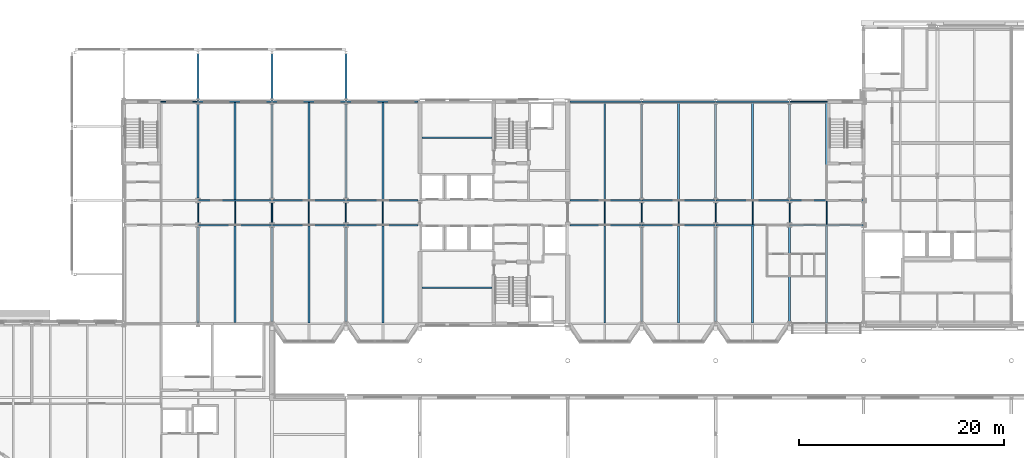
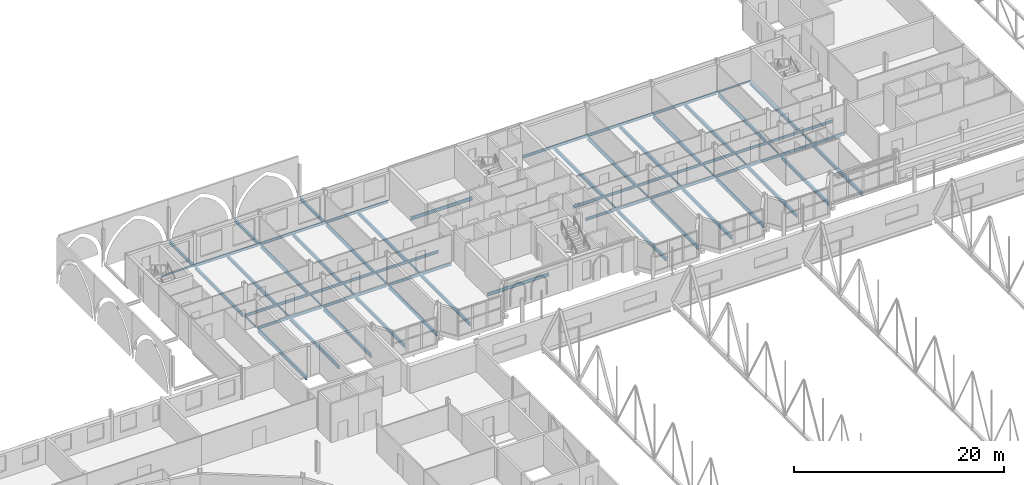
# One storey, part 51 of 142: 66 beams.
"""IFC4 building model written with IfcOpenShell, lengths in metres."""

from ifc_helpers import new_model, si_unit, direction, frame, origin, origin_2d, place, context, subcontext, project, spatial, i_section, extrude, material, material_profile, profile_set, type_object, element, save


model = new_model("IFC4")

# Units and contexts
model_context = context("Model", 3, precision=1e-05, world=origin(), true_north=direction((0.0, 1.0)))
body_context = subcontext(model_context, "Body", "Model", "MODEL_VIEW")
ifc_project = project(units=[si_unit("LENGTHUNIT", "METRE"), si_unit("AREAUNIT", "SQUARE_METRE"), si_unit("VOLUMEUNIT", "CUBIC_METRE"), si_unit("PLANEANGLEUNIT", "RADIAN"), si_unit("MASSUNIT", "GRAM", prefix="KILO")], contexts=[model_context])

# Site, building, storey
site_placement = place(None, origin())
site = spatial("IfcSite", under=ifc_project, at=site_placement, CompositionType="ELEMENT")
building_placement = place(site_placement, origin())
building = spatial("IfcBuilding", under=site, at=building_placement, Name="Kupolbacken Congress Centre", CompositionType="ELEMENT")
storey_placement = place(building_placement, frame((0.0, 0.0, 14.39990234375)))
storey = spatial("IfcBuildingStorey", under=building, at=storey_placement, Name="L04", CompositionType="ELEMENT", Elevation=14.39990234375)

# Beams
ifc_material_1 = material(Name="Steel S355", Category="steel")
ifc_material_profile_1 = material_profile(ifc_material_1, i_section(OverallWidth=0.10009765625, OverallDepth=0.199951171875, WebThickness=0.005615234375, FlangeThickness=0.008544921875, FilletRadius=0.011962890625, at=origin_2d()), Name="IPE 200")
ifc_profile_set_1 = profile_set([ifc_material_profile_1], Name="Steel S355")
beam_type_1 = type_object("IfcBeamType", Name="B01 beam IPE 200", PredefinedType="BEAM", material=ifc_profile_set_1)
for number, where, z_axis, x_axis, name in (
    (1, (68.35009765625, 144.0, -0.239990234375), (1.0, 0.0, 0.0), (0.0, 1.0, 0.0), "S/floor/T/L04/R023"),
    (2, (129.610595703125, 144.0, -0.239990234375), (1.0, 0.0, 0.0), (0.0, 1.0, 0.0), "S/floor/T/L04/R030"),
):
    element("IfcBeam", number, at=place(storey_placement, frame(where, z_axis=z_axis, x_axis=x_axis)), inside=storey, type_object=beam_type_1, Name=name, PredefinedType="BEAM", context=body_context, shape_type="SweptSolid", body=[
        extrude(i_section(OverallWidth=0.10009765625, OverallDepth=0.199951171875, WebThickness=0.005615234375, FlangeThickness=0.008544921875, FilletRadius=0.011962890625, at=origin_2d()), origin(), (0.0, 0.0, 1.0), 3.639404296875),
    ])
beam_1_placement = place(storey_placement, frame((72.0, 132.21240234375, -0.239990234375), z_axis=(0.0, 1.0, 0.0), x_axis=(-1.0, 0.0, 0.0)))
element("IfcBeam", 3, at=beam_1_placement, inside=storey, type_object=beam_type_1, Name="S/floor/T/L04/S038", PredefinedType="BEAM", context=body_context, shape_type="SweptSolid", body=[
    extrude(i_section(OverallWidth=0.10009765625, OverallDepth=0.199951171875, WebThickness=0.005615234375, FlangeThickness=0.008544921875, FilletRadius=0.011962890625, at=origin_2d()), origin(), (0.0, 0.0, 1.0), 1.97509765625),
])
beam_2_placement = place(storey_placement, frame((75.60009765625, 132.074951171875, -0.239990234375), z_axis=(0.0, 1.0, 0.0), x_axis=(-1.0, 0.0, 0.0)))
element("IfcBeam", 4, at=beam_2_placement, inside=storey, type_object=beam_type_1, Name="S/floor/T/L04/S041", PredefinedType="BEAM", context=body_context, shape_type="SweptSolid", body=[
    extrude(i_section(OverallWidth=0.10009765625, OverallDepth=0.199951171875, WebThickness=0.005615234375, FlangeThickness=0.008544921875, FilletRadius=0.011962890625, at=origin_2d()), origin(), (0.0, 0.0, 1.0), 2.25),
])
beam_3_placement = place(storey_placement, frame((79.199951171875, 132.21240234375, -0.239990234375), z_axis=(0.0, 1.0, 0.0), x_axis=(-1.0, 0.0, 0.0)))
element("IfcBeam", 5, at=beam_3_placement, inside=storey, type_object=beam_type_1, Name="S/floor/T/L04/S044", PredefinedType="BEAM", context=body_context, shape_type="SweptSolid", body=[
    extrude(i_section(OverallWidth=0.10009765625, OverallDepth=0.199951171875, WebThickness=0.005615234375, FlangeThickness=0.008544921875, FilletRadius=0.011962890625, at=origin_2d()), origin(), (0.0, 0.0, 1.0), 1.97509765625),
])
beam_4_placement = place(storey_placement, frame((82.800048828125, 132.074951171875, -0.239990234375), z_axis=(0.0, 1.0, 0.0), x_axis=(-1.0, 0.0, 0.0)))
element("IfcBeam", 6, at=beam_4_placement, inside=storey, type_object=beam_type_1, Name="S/floor/T/L04/S047", PredefinedType="BEAM", context=body_context, shape_type="SweptSolid", body=[
    extrude(i_section(OverallWidth=0.10009765625, OverallDepth=0.199951171875, WebThickness=0.005615234375, FlangeThickness=0.008544921875, FilletRadius=0.011962890625, at=origin_2d()), origin(), (0.0, 0.0, 1.0), 2.25),
])
beam_5_placement = place(storey_placement, frame((86.39990234375, 132.21240234375, -0.239990234375), z_axis=(0.0, 1.0, 0.0), x_axis=(-1.0, 0.0, 0.0)))
element("IfcBeam", 7, at=beam_5_placement, inside=storey, type_object=beam_type_1, Name="S/floor/T/L04/S050", PredefinedType="BEAM", context=body_context, shape_type="SweptSolid", body=[
    extrude(i_section(OverallWidth=0.10009765625, OverallDepth=0.199951171875, WebThickness=0.005615234375, FlangeThickness=0.008544921875, FilletRadius=0.011962890625, at=origin_2d()), origin(), (0.0, 0.0, 1.0), 1.97509765625),
])
for number, where, z_axis, x_axis, name in (
    (8, (90.0, 132.074951171875, -0.239990234375), (0.0, 1.0, 0.0), (-1.0, 0.0, 0.0), "S/floor/T/L04/S053"),
    (9, (111.60009765625, 132.074951171875, -0.239990234375), (0.0, 1.0, 0.0), (-1.0, 0.0, 0.0), "S/floor/T/L04/S056"),
):
    element("IfcBeam", number, at=place(storey_placement, frame(where, z_axis=z_axis, x_axis=x_axis)), inside=storey, type_object=beam_type_1, Name=name, PredefinedType="BEAM", context=body_context, shape_type="SweptSolid", body=[
        extrude(i_section(OverallWidth=0.10009765625, OverallDepth=0.199951171875, WebThickness=0.005615234375, FlangeThickness=0.008544921875, FilletRadius=0.011962890625, at=origin_2d()), origin(), (0.0, 0.0, 1.0), 2.25),
    ])
beam_6_placement = place(storey_placement, frame((115.199951171875, 132.21240234375, -0.239990234375), z_axis=(0.0, 1.0, 0.0), x_axis=(-1.0, 0.0, 0.0)))
element("IfcBeam", 10, at=beam_6_placement, inside=storey, type_object=beam_type_1, Name="S/floor/T/L04/S059", PredefinedType="BEAM", context=body_context, shape_type="SweptSolid", body=[
    extrude(i_section(OverallWidth=0.10009765625, OverallDepth=0.199951171875, WebThickness=0.005615234375, FlangeThickness=0.008544921875, FilletRadius=0.011962890625, at=origin_2d()), origin(), (0.0, 0.0, 1.0), 1.97509765625),
])
beam_7_placement = place(storey_placement, frame((118.800048828125, 132.074951171875, -0.239990234375), z_axis=(0.0, 1.0, 0.0), x_axis=(-1.0, 0.0, 0.0)))
element("IfcBeam", 11, at=beam_7_placement, inside=storey, type_object=beam_type_1, Name="S/floor/T/L04/S062", PredefinedType="BEAM", context=body_context, shape_type="SweptSolid", body=[
    extrude(i_section(OverallWidth=0.10009765625, OverallDepth=0.199951171875, WebThickness=0.005615234375, FlangeThickness=0.008544921875, FilletRadius=0.011962890625, at=origin_2d()), origin(), (0.0, 0.0, 1.0), 2.25),
])
beam_8_placement = place(storey_placement, frame((122.39990234375, 132.21240234375, -0.239990234375), z_axis=(0.0, 1.0, 0.0), x_axis=(-1.0, 0.0, 0.0)))
element("IfcBeam", 12, at=beam_8_placement, inside=storey, type_object=beam_type_1, Name="S/floor/T/L04/S065", PredefinedType="BEAM", context=body_context, shape_type="SweptSolid", body=[
    extrude(i_section(OverallWidth=0.10009765625, OverallDepth=0.199951171875, WebThickness=0.005615234375, FlangeThickness=0.008544921875, FilletRadius=0.011962890625, at=origin_2d()), origin(), (0.0, 0.0, 1.0), 1.97509765625),
])
beam_9_placement = place(storey_placement, frame((126.0, 132.074951171875, -0.239990234375), z_axis=(0.0, 1.0, 0.0), x_axis=(-1.0, 0.0, 0.0)))
element("IfcBeam", 13, at=beam_9_placement, inside=storey, type_object=beam_type_1, Name="S/floor/T/L04/S068", PredefinedType="BEAM", context=body_context, shape_type="SweptSolid", body=[
    extrude(i_section(OverallWidth=0.10009765625, OverallDepth=0.199951171875, WebThickness=0.005615234375, FlangeThickness=0.008544921875, FilletRadius=0.011962890625, at=origin_2d()), origin(), (0.0, 0.0, 1.0), 2.25),
])
beam_10_placement = place(storey_placement, frame((129.60009765625, 132.21240234375, -0.239990234375), z_axis=(0.0, 1.0, 0.0), x_axis=(-1.0, 0.0, 0.0)))
element("IfcBeam", 14, at=beam_10_placement, inside=storey, type_object=beam_type_1, Name="S/floor/T/L04/S071", PredefinedType="BEAM", context=body_context, shape_type="SweptSolid", body=[
    extrude(i_section(OverallWidth=0.10009765625, OverallDepth=0.199951171875, WebThickness=0.005615234375, FlangeThickness=0.008544921875, FilletRadius=0.011962890625, at=origin_2d()), origin(), (0.0, 0.0, 1.0), 1.97509765625),
])
beam_11_placement = place(storey_placement, frame((133.199951171875, 132.074951171875, -0.239990234375), z_axis=(0.0, 1.0, 0.0), x_axis=(-1.0, 0.0, 0.0)))
element("IfcBeam", 15, at=beam_11_placement, inside=storey, type_object=beam_type_1, Name="S/floor/T/L04/S074", PredefinedType="BEAM", context=body_context, shape_type="SweptSolid", body=[
    extrude(i_section(OverallWidth=0.10009765625, OverallDepth=0.199951171875, WebThickness=0.005615234375, FlangeThickness=0.008544921875, FilletRadius=0.011962890625, at=origin_2d()), origin(), (0.0, 0.0, 1.0), 2.25),
])
ifc_material_2 = material(Name="Steel S355", Category="steel")
ifc_material_profile_2 = material_profile(ifc_material_2, i_section(OverallWidth=0.14990234375, OverallDepth=0.300048828125, WebThickness=0.007080078125, FlangeThickness=0.0107421875, FilletRadius=0.014892578125, at=origin_2d()), Name="IPE 300")
ifc_profile_set_2 = profile_set([ifc_material_profile_2], Name="Steel S355")
beam_type_2 = type_object("IfcBeamType", Name="B04 beam IPE 300", PredefinedType="BEAM", material=ifc_profile_set_2)
for number, where, z_axis, x_axis, name in (
    (16, (72.016357421875, 132.0, -0.289794921875), (1.0, 0.0, 0.0), (0.0, 1.0, 0.0), "S/floor/T/L04/R008"),
    (17, (79.21630859375, 132.0, -0.289794921875), (1.0, 0.0, 0.0), (0.0, 1.0, 0.0), "S/floor/T/L04/R009"),
):
    element("IfcBeam", number, at=place(storey_placement, frame(where, z_axis=z_axis, x_axis=x_axis)), inside=storey, type_object=beam_type_2, Name=name, PredefinedType="BEAM", context=body_context, shape_type="SweptSolid", body=[
        extrude(i_section(OverallWidth=0.14990234375, OverallDepth=0.300048828125, WebThickness=0.007080078125, FlangeThickness=0.0107421875, FilletRadius=0.014892578125, at=origin_2d()), origin(), (0.0, 0.0, 1.0), 7.167236328125),
    ])
beam_12_placement = place(storey_placement, frame((86.41650390625, 132.0, -0.289794921875), z_axis=(1.0, 0.0, 0.0), x_axis=(0.0, 1.0, 0.0)))
element("IfcBeam", 18, at=beam_12_placement, inside=storey, type_object=beam_type_2, Name="S/floor/T/L04/R010", PredefinedType="BEAM", context=body_context, shape_type="SweptSolid", body=[
    extrude(i_section(OverallWidth=0.14990234375, OverallDepth=0.300048828125, WebThickness=0.007080078125, FlangeThickness=0.0107421875, FilletRadius=0.014892578125, at=origin_2d()), origin(), (0.0, 0.0, 1.0), 6.9833984375),
])
beam_13_placement = place(storey_placement, frame((108.199951171875, 132.0, -0.289794921875), z_axis=(1.0, 0.0, 0.0), x_axis=(0.0, 1.0, 0.0)))
element("IfcBeam", 19, at=beam_13_placement, inside=storey, type_object=beam_type_2, Name="S/floor/T/L04/R011", PredefinedType="BEAM", context=body_context, shape_type="SweptSolid", body=[
    extrude(i_section(OverallWidth=0.14990234375, OverallDepth=0.300048828125, WebThickness=0.007080078125, FlangeThickness=0.0107421875, FilletRadius=0.014892578125, at=origin_2d()), origin(), (0.0, 0.0, 1.0), 6.983642578125),
])
beam_14_placement = place(storey_placement, frame((115.21630859375, 132.0, -0.289794921875), z_axis=(1.0, 0.0, 0.0), x_axis=(0.0, 1.0, 0.0)))
element("IfcBeam", 20, at=beam_14_placement, inside=storey, type_object=beam_type_2, Name="S/floor/T/L04/R012", PredefinedType="BEAM", context=body_context, shape_type="SweptSolid", body=[
    extrude(i_section(OverallWidth=0.14990234375, OverallDepth=0.300048828125, WebThickness=0.007080078125, FlangeThickness=0.0107421875, FilletRadius=0.014892578125, at=origin_2d()), origin(), (0.0, 0.0, 1.0), 7.167236328125),
])
beam_15_placement = place(storey_placement, frame((122.41650390625, 132.0, -0.289794921875), z_axis=(1.0, 0.0, 0.0), x_axis=(0.0, 1.0, 0.0)))
element("IfcBeam", 21, at=beam_15_placement, inside=storey, type_object=beam_type_2, Name="S/floor/T/L04/R013", PredefinedType="BEAM", context=body_context, shape_type="SweptSolid", body=[
    extrude(i_section(OverallWidth=0.14990234375, OverallDepth=0.300048828125, WebThickness=0.007080078125, FlangeThickness=0.0107421875, FilletRadius=0.014892578125, at=origin_2d()), origin(), (0.0, 0.0, 1.0), 7.1669921875),
])
beam_16_placement = place(storey_placement, frame((129.616455078125, 132.0, -0.289794921875), z_axis=(1.0, 0.0, 0.0), x_axis=(0.0, 1.0, 0.0)))
element("IfcBeam", 22, at=beam_16_placement, inside=storey, type_object=beam_type_2, Name="S/floor/T/L04/R014", PredefinedType="BEAM", context=body_context, shape_type="SweptSolid", body=[
    extrude(i_section(OverallWidth=0.14990234375, OverallDepth=0.300048828125, WebThickness=0.007080078125, FlangeThickness=0.0107421875, FilletRadius=0.014892578125, at=origin_2d()), origin(), (0.0, 0.0, 1.0), 7.176513671875),
])
for number, where, z_axis, x_axis, name in (
    (23, (72.016357421875, 134.39990234375, -0.289794921875), (1.0, 0.0, 0.0), (0.0, 1.0, 0.0), "S/floor/T/L04/R016"),
    (24, (79.21630859375, 134.39990234375, -0.289794921875), (1.0, 0.0, 0.0), (0.0, 1.0, 0.0), "S/floor/T/L04/R017"),
):
    element("IfcBeam", number, at=place(storey_placement, frame(where, z_axis=z_axis, x_axis=x_axis)), inside=storey, type_object=beam_type_2, Name=name, PredefinedType="BEAM", context=body_context, shape_type="SweptSolid", body=[
        extrude(i_section(OverallWidth=0.14990234375, OverallDepth=0.300048828125, WebThickness=0.007080078125, FlangeThickness=0.0107421875, FilletRadius=0.014892578125, at=origin_2d()), origin(), (0.0, 0.0, 1.0), 7.167236328125),
    ])
beam_17_placement = place(storey_placement, frame((86.41650390625, 134.39990234375, -0.289794921875), z_axis=(1.0, 0.0, 0.0), x_axis=(0.0, 1.0, 0.0)))
element("IfcBeam", 25, at=beam_17_placement, inside=storey, type_object=beam_type_2, Name="S/floor/T/L04/R018", PredefinedType="BEAM", context=body_context, shape_type="SweptSolid", body=[
    extrude(i_section(OverallWidth=0.14990234375, OverallDepth=0.300048828125, WebThickness=0.007080078125, FlangeThickness=0.0107421875, FilletRadius=0.014892578125, at=origin_2d()), origin(), (0.0, 0.0, 1.0), 6.9833984375),
])
beam_18_placement = place(storey_placement, frame((108.199951171875, 134.39990234375, -0.289794921875), z_axis=(1.0, 0.0, 0.0), x_axis=(0.0, 1.0, 0.0)))
element("IfcBeam", 26, at=beam_18_placement, inside=storey, type_object=beam_type_2, Name="S/floor/T/L04/R019", PredefinedType="BEAM", context=body_context, shape_type="SweptSolid", body=[
    extrude(i_section(OverallWidth=0.14990234375, OverallDepth=0.300048828125, WebThickness=0.007080078125, FlangeThickness=0.0107421875, FilletRadius=0.014892578125, at=origin_2d()), origin(), (0.0, 0.0, 1.0), 6.983642578125),
])
beam_19_placement = place(storey_placement, frame((115.21630859375, 134.39990234375, -0.289794921875), z_axis=(1.0, 0.0, 0.0), x_axis=(0.0, 1.0, 0.0)))
element("IfcBeam", 27, at=beam_19_placement, inside=storey, type_object=beam_type_2, Name="S/floor/T/L04/R020", PredefinedType="BEAM", context=body_context, shape_type="SweptSolid", body=[
    extrude(i_section(OverallWidth=0.14990234375, OverallDepth=0.300048828125, WebThickness=0.007080078125, FlangeThickness=0.0107421875, FilletRadius=0.014892578125, at=origin_2d()), origin(), (0.0, 0.0, 1.0), 7.167236328125),
])
beam_20_placement = place(storey_placement, frame((122.41650390625, 134.39990234375, -0.289794921875), z_axis=(1.0, 0.0, 0.0), x_axis=(0.0, 1.0, 0.0)))
element("IfcBeam", 28, at=beam_20_placement, inside=storey, type_object=beam_type_2, Name="S/floor/T/L04/R021", PredefinedType="BEAM", context=body_context, shape_type="SweptSolid", body=[
    extrude(i_section(OverallWidth=0.14990234375, OverallDepth=0.300048828125, WebThickness=0.007080078125, FlangeThickness=0.0107421875, FilletRadius=0.014892578125, at=origin_2d()), origin(), (0.0, 0.0, 1.0), 7.1669921875),
])
beam_21_placement = place(storey_placement, frame((129.616455078125, 134.39990234375, -0.289794921875), z_axis=(1.0, 0.0, 0.0), x_axis=(0.0, 1.0, 0.0)))
element("IfcBeam", 29, at=beam_21_placement, inside=storey, type_object=beam_type_2, Name="S/floor/T/L04/R022", PredefinedType="BEAM", context=body_context, shape_type="SweptSolid", body=[
    extrude(i_section(OverallWidth=0.14990234375, OverallDepth=0.300048828125, WebThickness=0.007080078125, FlangeThickness=0.0107421875, FilletRadius=0.014892578125, at=origin_2d()), origin(), (0.0, 0.0, 1.0), 7.176513671875),
])
for number, where, z_axis, x_axis, name in (
    (30, (72.010498046875, 144.0, -0.289794921875), (1.0, 0.0, 0.0), (0.0, 1.0, 0.0), "S/floor/T/L04/R024"),
    (31, (79.21044921875, 144.0, -0.289794921875), (1.0, 0.0, 0.0), (0.0, 1.0, 0.0), "S/floor/T/L04/R025"),
):
    element("IfcBeam", number, at=place(storey_placement, frame(where, z_axis=z_axis, x_axis=x_axis)), inside=storey, type_object=beam_type_2, Name=name, PredefinedType="BEAM", context=body_context, shape_type="SweptSolid", body=[
        extrude(i_section(OverallWidth=0.14990234375, OverallDepth=0.300048828125, WebThickness=0.007080078125, FlangeThickness=0.0107421875, FilletRadius=0.014892578125, at=origin_2d()), origin(), (0.0, 0.0, 1.0), 7.178955078125),
    ])
for number, where, z_axis, x_axis, name in (
    (32, (86.410400390625, 144.0, -0.289794921875), (1.0, 0.0, 0.0), (0.0, 1.0, 0.0), "S/floor/T/L04/R026"),
    (33, (108.199951171875, 144.0, -0.289794921875), (1.0, 0.0, 0.0), (0.0, 1.0, 0.0), "S/floor/T/L04/R027"),
):
    element("IfcBeam", number, at=place(storey_placement, frame(where, z_axis=z_axis, x_axis=x_axis)), inside=storey, type_object=beam_type_2, Name=name, PredefinedType="BEAM", context=body_context, shape_type="SweptSolid", body=[
        extrude(i_section(OverallWidth=0.14990234375, OverallDepth=0.300048828125, WebThickness=0.007080078125, FlangeThickness=0.0107421875, FilletRadius=0.014892578125, at=origin_2d()), origin(), (0.0, 0.0, 1.0), 6.989501953125),
    ])
beam_22_placement = place(storey_placement, frame((115.21044921875, 144.0, -0.289794921875), z_axis=(1.0, 0.0, 0.0), x_axis=(0.0, 1.0, 0.0)))
element("IfcBeam", 34, at=beam_22_placement, inside=storey, type_object=beam_type_2, Name="S/floor/T/L04/R028", PredefinedType="BEAM", context=body_context, shape_type="SweptSolid", body=[
    extrude(i_section(OverallWidth=0.14990234375, OverallDepth=0.300048828125, WebThickness=0.007080078125, FlangeThickness=0.0107421875, FilletRadius=0.014892578125, at=origin_2d()), origin(), (0.0, 0.0, 1.0), 7.178955078125),
])
beam_23_placement = place(storey_placement, frame((122.410400390625, 144.0, -0.289794921875), z_axis=(1.0, 0.0, 0.0), x_axis=(0.0, 1.0, 0.0)))
element("IfcBeam", 35, at=beam_23_placement, inside=storey, type_object=beam_type_2, Name="S/floor/T/L04/R029", PredefinedType="BEAM", context=body_context, shape_type="SweptSolid", body=[
    extrude(i_section(OverallWidth=0.14990234375, OverallDepth=0.300048828125, WebThickness=0.007080078125, FlangeThickness=0.0107421875, FilletRadius=0.014892578125, at=origin_2d()), origin(), (0.0, 0.0, 1.0), 7.17919921875),
])
ifc_material_3 = material(Name="Steel S355", Category="steel")
ifc_material_profile_3 = material_profile(ifc_material_3, i_section(OverallWidth=0.169921875, OverallDepth=0.360107421875, WebThickness=0.008056640625, FlangeThickness=0.0126953125, FilletRadius=0.01806640625, at=origin_2d()), Name="IPE 360")
ifc_profile_set_3 = profile_set([ifc_material_profile_3], Name="Steel S355")
beam_type_3 = type_object("IfcBeamType", Name="B06 beam IPE 360", PredefinedType="BEAM", material=ifc_profile_set_3)
for number, where, z_axis, x_axis, name in (
    (36, (93.800048828125, 125.89990234375, -0.31982421875), (1.0, 0.0, 0.0), (0.0, 1.0, 0.0), "S/floor/T/L04/RB125"),
    (37, (93.800048828125, 140.5, -0.31982421875), (1.0, 0.0, 0.0), (0.0, 1.0, 0.0), "S/floor/T/L04/RB140"),
):
    element("IfcBeam", number, at=place(storey_placement, frame(where, z_axis=z_axis, x_axis=x_axis)), inside=storey, type_object=beam_type_3, Name=name, PredefinedType="BEAM", context=body_context, shape_type="SweptSolid", body=[
        extrude(i_section(OverallWidth=0.169921875, OverallDepth=0.360107421875, WebThickness=0.008056640625, FlangeThickness=0.0126953125, FilletRadius=0.01806640625, at=origin_2d()), origin(), (0.0, 0.0, 1.0), 6.824951171875),
    ])
for number, where, z_axis, x_axis, name in (
    (38, (72.0, 144.080078125, -0.31982421875), (0.0, 1.0, 0.0), (-1.0, 0.0, 0.0), "E/T/portal/N/tie72/L04"),
    (39, (79.199951171875, 144.080078125, -0.31982421875), (0.0, 1.0, 0.0), (-1.0, 0.0, 0.0), "E/T/portal/N/tie79.2/L04"),
    (40, (86.39990234375, 144.080078125, -0.31982421875), (0.0, 1.0, 0.0), (-1.0, 0.0, 0.0), "E/T/portal/N/tie86.4/L04"),
):
    element("IfcBeam", number, at=place(storey_placement, frame(where, z_axis=z_axis, x_axis=x_axis)), inside=storey, type_object=beam_type_3, Name=name, PredefinedType="BEAM", context=body_context, shape_type="SweptSolid", body=[
        extrude(i_section(OverallWidth=0.169921875, OverallDepth=0.360107421875, WebThickness=0.008056640625, FlangeThickness=0.0126953125, FilletRadius=0.01806640625, at=origin_2d()), origin(), (0.0, 0.0, 1.0), 4.60986328125),
    ])
ifc_material_4 = material(Name="Steel S355", Category="steel")
ifc_material_profile_4 = material_profile(ifc_material_4, i_section(OverallWidth=0.179931640625, OverallDepth=0.39990234375, WebThickness=0.008544921875, FlangeThickness=0.013427734375, FilletRadius=0.02099609375, at=origin_2d()), Name="IPE 400")
ifc_profile_set_4 = profile_set([ifc_material_profile_4], Name="Steel S355")
beam_type_4 = type_object("IfcBeamType", Name="B07 beam IPE 400", PredefinedType="BEAM", material=ifc_profile_set_4)
beam_24_placement = place(storey_placement, frame((72.0, 122.52490234375, -0.33984375), z_axis=(0.0, 1.0, 0.0), x_axis=(-1.0, 0.0, 0.0)))
element("IfcBeam", 41, at=beam_24_placement, inside=storey, type_object=beam_type_4, Name="S/floor/T/L04/S037", PredefinedType="BEAM", context=body_context, shape_type="SweptSolid", body=[
    extrude(i_section(OverallWidth=0.179931640625, OverallDepth=0.39990234375, WebThickness=0.008544921875, FlangeThickness=0.013427734375, FilletRadius=0.02099609375, at=origin_2d()), origin(), (0.0, 0.0, 1.0), 9.2626953125),
])
beam_25_placement = place(storey_placement, frame((72.0, 134.612548828125, -0.33984375), z_axis=(0.0, 1.0, 0.0), x_axis=(-1.0, 0.0, 0.0)))
element("IfcBeam", 42, at=beam_25_placement, inside=storey, type_object=beam_type_4, Name="S/floor/T/L04/S039", PredefinedType="BEAM", context=body_context, shape_type="SweptSolid", body=[
    extrude(i_section(OverallWidth=0.179931640625, OverallDepth=0.39990234375, WebThickness=0.008544921875, FlangeThickness=0.013427734375, FilletRadius=0.02099609375, at=origin_2d()), origin(), (0.0, 0.0, 1.0), 9.17138671875),
])
beam_26_placement = place(storey_placement, frame((75.60009765625, 122.52490234375, -0.33984375), z_axis=(0.0, 1.0, 0.0), x_axis=(-1.0, 0.0, 0.0)))
element("IfcBeam", 43, at=beam_26_placement, inside=storey, type_object=beam_type_4, Name="S/floor/T/L04/S040", PredefinedType="BEAM", context=body_context, shape_type="SweptSolid", body=[
    extrude(i_section(OverallWidth=0.179931640625, OverallDepth=0.39990234375, WebThickness=0.008544921875, FlangeThickness=0.013427734375, FilletRadius=0.02099609375, at=origin_2d()), origin(), (0.0, 0.0, 1.0), 9.400146484375),
])
beam_27_placement = place(storey_placement, frame((75.60009765625, 134.47509765625, -0.33984375), z_axis=(0.0, 1.0, 0.0), x_axis=(-1.0, 0.0, 0.0)))
element("IfcBeam", 44, at=beam_27_placement, inside=storey, type_object=beam_type_4, Name="S/floor/T/L04/S042", PredefinedType="BEAM", context=body_context, shape_type="SweptSolid", body=[
    extrude(i_section(OverallWidth=0.179931640625, OverallDepth=0.39990234375, WebThickness=0.008544921875, FlangeThickness=0.013427734375, FilletRadius=0.02099609375, at=origin_2d()), origin(), (0.0, 0.0, 1.0), 9.449951171875),
])
beam_28_placement = place(storey_placement, frame((79.199951171875, 122.615966796875, -0.33984375), z_axis=(0.0, 1.0, 0.0), x_axis=(-1.0, 0.0, 0.0)))
element("IfcBeam", 45, at=beam_28_placement, inside=storey, type_object=beam_type_4, Name="S/floor/T/L04/S043", PredefinedType="BEAM", context=body_context, shape_type="SweptSolid", body=[
    extrude(i_section(OverallWidth=0.179931640625, OverallDepth=0.39990234375, WebThickness=0.008544921875, FlangeThickness=0.013427734375, FilletRadius=0.02099609375, at=origin_2d()), origin(), (0.0, 0.0, 1.0), 9.171630859375),
])
beam_29_placement = place(storey_placement, frame((79.199951171875, 134.612548828125, -0.33984375), z_axis=(0.0, 1.0, 0.0), x_axis=(-1.0, 0.0, 0.0)))
element("IfcBeam", 46, at=beam_29_placement, inside=storey, type_object=beam_type_4, Name="S/floor/T/L04/S045", PredefinedType="BEAM", context=body_context, shape_type="SweptSolid", body=[
    extrude(i_section(OverallWidth=0.179931640625, OverallDepth=0.39990234375, WebThickness=0.008544921875, FlangeThickness=0.013427734375, FilletRadius=0.02099609375, at=origin_2d()), origin(), (0.0, 0.0, 1.0), 9.17138671875),
])
for number, where, z_axis, x_axis, name in (
    (47, (82.800048828125, 122.47509765625, -0.33984375), (0.0, 1.0, 0.0), (-1.0, 0.0, 0.0), "S/floor/T/L04/S046"),
    (48, (82.800048828125, 134.47509765625, -0.33984375), (0.0, 1.0, 0.0), (-1.0, 0.0, 0.0), "S/floor/T/L04/S048"),
):
    element("IfcBeam", number, at=place(storey_placement, frame(where, z_axis=z_axis, x_axis=x_axis)), inside=storey, type_object=beam_type_4, Name=name, PredefinedType="BEAM", context=body_context, shape_type="SweptSolid", body=[
        extrude(i_section(OverallWidth=0.179931640625, OverallDepth=0.39990234375, WebThickness=0.008544921875, FlangeThickness=0.013427734375, FilletRadius=0.02099609375, at=origin_2d()), origin(), (0.0, 0.0, 1.0), 9.449951171875),
    ])
beam_30_placement = place(storey_placement, frame((86.39990234375, 122.615966796875, -0.33984375), z_axis=(0.0, 1.0, 0.0), x_axis=(-1.0, 0.0, 0.0)))
element("IfcBeam", 49, at=beam_30_placement, inside=storey, type_object=beam_type_4, Name="S/floor/T/L04/S049", PredefinedType="BEAM", context=body_context, shape_type="SweptSolid", body=[
    extrude(i_section(OverallWidth=0.179931640625, OverallDepth=0.39990234375, WebThickness=0.008544921875, FlangeThickness=0.013427734375, FilletRadius=0.02099609375, at=origin_2d()), origin(), (0.0, 0.0, 1.0), 9.171630859375),
])
beam_31_placement = place(storey_placement, frame((86.39990234375, 134.612548828125, -0.33984375), z_axis=(0.0, 1.0, 0.0), x_axis=(-1.0, 0.0, 0.0)))
element("IfcBeam", 50, at=beam_31_placement, inside=storey, type_object=beam_type_4, Name="S/floor/T/L04/S051", PredefinedType="BEAM", context=body_context, shape_type="SweptSolid", body=[
    extrude(i_section(OverallWidth=0.179931640625, OverallDepth=0.39990234375, WebThickness=0.008544921875, FlangeThickness=0.013427734375, FilletRadius=0.02099609375, at=origin_2d()), origin(), (0.0, 0.0, 1.0), 9.17138671875),
])
for number, where, z_axis, x_axis, name in (
    (51, (90.0, 122.47509765625, -0.33984375), (0.0, 1.0, 0.0), (-1.0, 0.0, 0.0), "S/floor/T/L04/S052"),
    (52, (90.0, 134.47509765625, -0.33984375), (0.0, 1.0, 0.0), (-1.0, 0.0, 0.0), "S/floor/T/L04/S054"),
    (53, (111.60009765625, 122.47509765625, -0.33984375), (0.0, 1.0, 0.0), (-1.0, 0.0, 0.0), "S/floor/T/L04/S055"),
    (54, (111.60009765625, 134.47509765625, -0.33984375), (0.0, 1.0, 0.0), (-1.0, 0.0, 0.0), "S/floor/T/L04/S057"),
):
    element("IfcBeam", number, at=place(storey_placement, frame(where, z_axis=z_axis, x_axis=x_axis)), inside=storey, type_object=beam_type_4, Name=name, PredefinedType="BEAM", context=body_context, shape_type="SweptSolid", body=[
        extrude(i_section(OverallWidth=0.179931640625, OverallDepth=0.39990234375, WebThickness=0.008544921875, FlangeThickness=0.013427734375, FilletRadius=0.02099609375, at=origin_2d()), origin(), (0.0, 0.0, 1.0), 9.449951171875),
    ])
beam_32_placement = place(storey_placement, frame((115.199951171875, 122.615966796875, -0.33984375), z_axis=(0.0, 1.0, 0.0), x_axis=(-1.0, 0.0, 0.0)))
element("IfcBeam", 55, at=beam_32_placement, inside=storey, type_object=beam_type_4, Name="S/floor/T/L04/S058", PredefinedType="BEAM", context=body_context, shape_type="SweptSolid", body=[
    extrude(i_section(OverallWidth=0.179931640625, OverallDepth=0.39990234375, WebThickness=0.008544921875, FlangeThickness=0.013427734375, FilletRadius=0.02099609375, at=origin_2d()), origin(), (0.0, 0.0, 1.0), 9.171630859375),
])
beam_33_placement = place(storey_placement, frame((115.199951171875, 134.612548828125, -0.33984375), z_axis=(0.0, 1.0, 0.0), x_axis=(-1.0, 0.0, 0.0)))
element("IfcBeam", 56, at=beam_33_placement, inside=storey, type_object=beam_type_4, Name="S/floor/T/L04/S060", PredefinedType="BEAM", context=body_context, shape_type="SweptSolid", body=[
    extrude(i_section(OverallWidth=0.179931640625, OverallDepth=0.39990234375, WebThickness=0.008544921875, FlangeThickness=0.013427734375, FilletRadius=0.02099609375, at=origin_2d()), origin(), (0.0, 0.0, 1.0), 9.17138671875),
])
for number, where, z_axis, x_axis, name in (
    (57, (118.800048828125, 122.47509765625, -0.33984375), (0.0, 1.0, 0.0), (-1.0, 0.0, 0.0), "S/floor/T/L04/S061"),
    (58, (118.800048828125, 134.47509765625, -0.33984375), (0.0, 1.0, 0.0), (-1.0, 0.0, 0.0), "S/floor/T/L04/S063"),
):
    element("IfcBeam", number, at=place(storey_placement, frame(where, z_axis=z_axis, x_axis=x_axis)), inside=storey, type_object=beam_type_4, Name=name, PredefinedType="BEAM", context=body_context, shape_type="SweptSolid", body=[
        extrude(i_section(OverallWidth=0.179931640625, OverallDepth=0.39990234375, WebThickness=0.008544921875, FlangeThickness=0.013427734375, FilletRadius=0.02099609375, at=origin_2d()), origin(), (0.0, 0.0, 1.0), 9.449951171875),
    ])
beam_34_placement = place(storey_placement, frame((122.39990234375, 122.615966796875, -0.33984375), z_axis=(0.0, 1.0, 0.0), x_axis=(-1.0, 0.0, 0.0)))
element("IfcBeam", 59, at=beam_34_placement, inside=storey, type_object=beam_type_4, Name="S/floor/T/L04/S064", PredefinedType="BEAM", context=body_context, shape_type="SweptSolid", body=[
    extrude(i_section(OverallWidth=0.179931640625, OverallDepth=0.39990234375, WebThickness=0.008544921875, FlangeThickness=0.013427734375, FilletRadius=0.02099609375, at=origin_2d()), origin(), (0.0, 0.0, 1.0), 9.171630859375),
])
beam_35_placement = place(storey_placement, frame((122.39990234375, 134.612548828125, -0.33984375), z_axis=(0.0, 1.0, 0.0), x_axis=(-1.0, 0.0, 0.0)))
element("IfcBeam", 60, at=beam_35_placement, inside=storey, type_object=beam_type_4, Name="S/floor/T/L04/S066", PredefinedType="BEAM", context=body_context, shape_type="SweptSolid", body=[
    extrude(i_section(OverallWidth=0.179931640625, OverallDepth=0.39990234375, WebThickness=0.008544921875, FlangeThickness=0.013427734375, FilletRadius=0.02099609375, at=origin_2d()), origin(), (0.0, 0.0, 1.0), 9.17138671875),
])
for number, where, z_axis, x_axis, name in (
    (61, (126.0, 122.47509765625, -0.33984375), (0.0, 1.0, 0.0), (-1.0, 0.0, 0.0), "S/floor/T/L04/S067"),
    (62, (126.0, 134.47509765625, -0.33984375), (0.0, 1.0, 0.0), (-1.0, 0.0, 0.0), "S/floor/T/L04/S069"),
):
    element("IfcBeam", number, at=place(storey_placement, frame(where, z_axis=z_axis, x_axis=x_axis)), inside=storey, type_object=beam_type_4, Name=name, PredefinedType="BEAM", context=body_context, shape_type="SweptSolid", body=[
        extrude(i_section(OverallWidth=0.179931640625, OverallDepth=0.39990234375, WebThickness=0.008544921875, FlangeThickness=0.013427734375, FilletRadius=0.02099609375, at=origin_2d()), origin(), (0.0, 0.0, 1.0), 9.449951171875),
    ])
beam_36_placement = place(storey_placement, frame((129.60009765625, 122.615966796875, -0.33984375), z_axis=(0.0, 1.0, 0.0), x_axis=(-1.0, 0.0, 0.0)))
element("IfcBeam", 63, at=beam_36_placement, inside=storey, type_object=beam_type_4, Name="S/floor/T/L04/S070", PredefinedType="BEAM", context=body_context, shape_type="SweptSolid", body=[
    extrude(i_section(OverallWidth=0.179931640625, OverallDepth=0.39990234375, WebThickness=0.008544921875, FlangeThickness=0.013427734375, FilletRadius=0.02099609375, at=origin_2d()), origin(), (0.0, 0.0, 1.0), 9.171630859375),
])
beam_37_placement = place(storey_placement, frame((129.60009765625, 134.612548828125, -0.33984375), z_axis=(0.0, 1.0, 0.0), x_axis=(-1.0, 0.0, 0.0)))
element("IfcBeam", 64, at=beam_37_placement, inside=storey, type_object=beam_type_4, Name="S/floor/T/L04/S072", PredefinedType="BEAM", context=body_context, shape_type="SweptSolid", body=[
    extrude(i_section(OverallWidth=0.179931640625, OverallDepth=0.39990234375, WebThickness=0.008544921875, FlangeThickness=0.013427734375, FilletRadius=0.02099609375, at=origin_2d()), origin(), (0.0, 0.0, 1.0), 9.17138671875),
])
beam_38_placement = place(storey_placement, frame((133.199951171875, 122.47509765625, -0.33984375), z_axis=(0.0, 1.0, 0.0), x_axis=(-1.0, 0.0, 0.0)))
element("IfcBeam", 65, at=beam_38_placement, inside=storey, type_object=beam_type_4, Name="S/floor/T/L04/S073", PredefinedType="BEAM", context=body_context, shape_type="SweptSolid", body=[
    extrude(i_section(OverallWidth=0.179931640625, OverallDepth=0.39990234375, WebThickness=0.008544921875, FlangeThickness=0.013427734375, FilletRadius=0.02099609375, at=origin_2d()), origin(), (0.0, 0.0, 1.0), 9.449951171875),
])
beam_39_placement = place(storey_placement, frame((133.199951171875, 134.47509765625, -0.33984375), z_axis=(0.0, 1.0, 0.0), x_axis=(-1.0, 0.0, 0.0)))
element("IfcBeam", 66, at=beam_39_placement, inside=storey, type_object=beam_type_4, Name="S/floor/T/L04/S075", PredefinedType="BEAM", context=body_context, shape_type="SweptSolid", body=[
    extrude(i_section(OverallWidth=0.179931640625, OverallDepth=0.39990234375, WebThickness=0.008544921875, FlangeThickness=0.013427734375, FilletRadius=0.02099609375, at=origin_2d()), origin(), (0.0, 0.0, 1.0), 9.474853515625),
])

save(model, "model.ifc")
